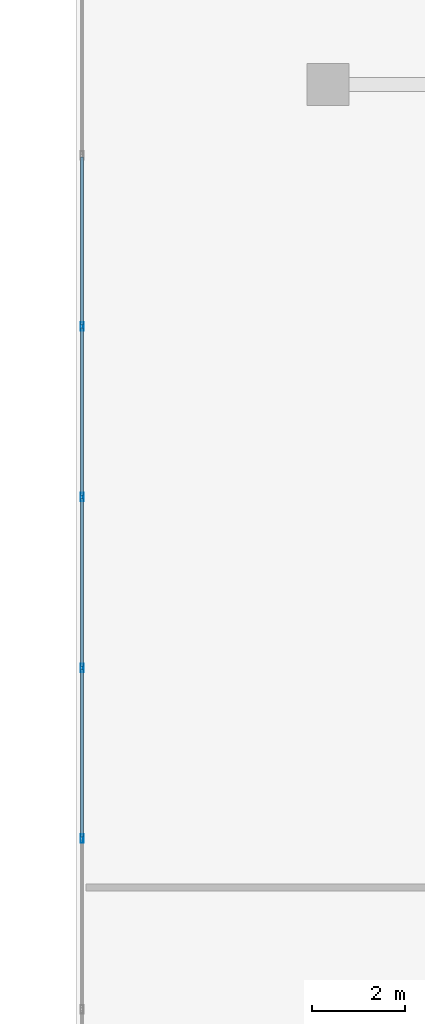
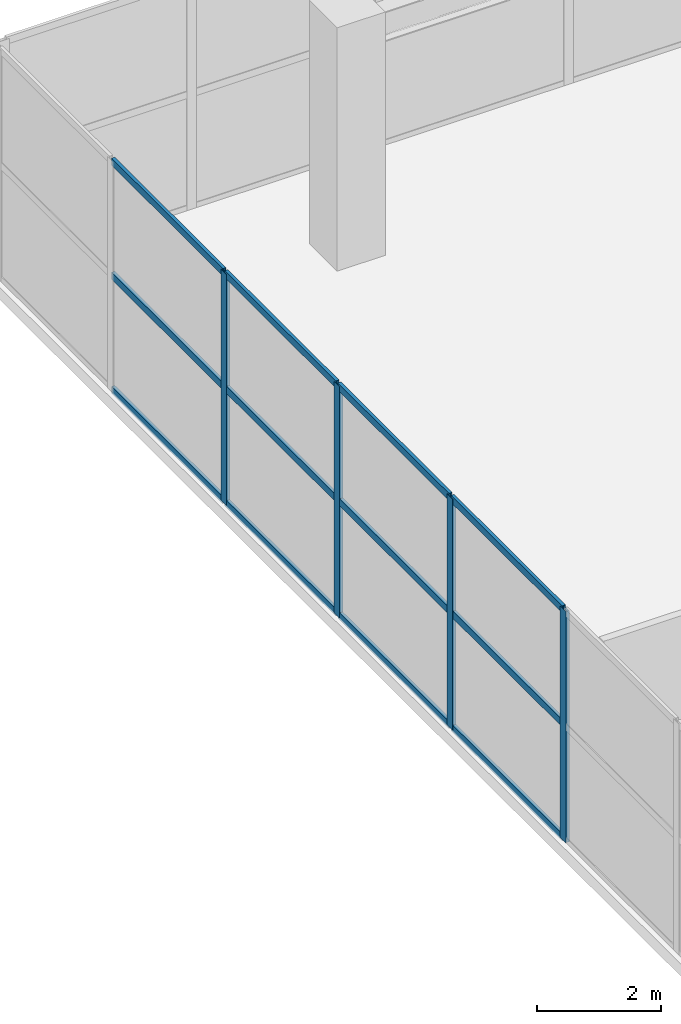
# One storey, part 9 of 31: 16 members, 1 element without a shape of its own.
"""IFC4 building model written with IfcOpenShell, lengths in metres."""

from ifc_helpers import new_model, si_unit, direction, frame, origin, origin_2d, place, context, subcontext, project, spatial, hollow_rectangle, extrude, material, layer, layer_set, material_profile, profile_set, type_object, element, aggregate, save


model = new_model("IFC4")

# Units and contexts
model_context = context("Model", 3, precision=1e-05, world=origin(), true_north=direction((0.0, 1.0)))
body_context = subcontext(model_context, "Body", "Model", "MODEL_VIEW")
ifc_project = project(units=[si_unit("LENGTHUNIT", "METRE"), si_unit("AREAUNIT", "SQUARE_METRE"), si_unit("VOLUMEUNIT", "CUBIC_METRE"), si_unit("PLANEANGLEUNIT", "RADIAN"), si_unit("MASSUNIT", "GRAM", prefix="KILO")], contexts=[model_context])

# Site, building, storey
site_placement = place(None, origin())
site = spatial("IfcSite", under=ifc_project, at=site_placement, CompositionType="ELEMENT")
building_placement = place(site_placement, origin())
building = spatial("IfcBuilding", under=site, at=building_placement, Name="Haolan Belvedere Tower", CompositionType="ELEMENT")
storey_placement = place(building_placement, frame((0.0, 0.0, 5.39990234375)))
storey = spatial("IfcBuildingStorey", under=building, at=storey_placement, Name="L01", CompositionType="ELEMENT", Elevation=5.39990234375)

# Curtain wall, members
ifc_material_1 = material(Name="Anodised champagne-silver aluminium 6063-T6 and Low-E glass", Category="aluminium")
ifc_layer = layer(ifc_material_1, 0.179931640625, Name="Anodised champagne-silver aluminium 6063-T6 and Low-E glass")
ifc_layer_set = layer_set([ifc_layer], Name="Anodised champagne-silver aluminium 6063-T6 and Low-E glass")
curtain_wall_type = type_object("IfcCurtainWallType", Name="CW-SYS-01", PredefinedType="NOTDEFINED", material=ifc_layer_set)
curtain_wall_placement = place(storey_placement, origin())
curtain_wall = element("IfcCurtainWall", 1, at=curtain_wall_placement, inside=storey, type_object=curtain_wall_type, Name="L01 CW-SYS-01 ribbon curtain wall 4.1", PredefinedType="NOTDEFINED")
ifc_material_2 = material(Name="Anodised aluminium 6063-T6", Category="aluminium")
ifc_material_profile_1 = material_profile(ifc_material_2, hollow_rectangle(XDim=0.06494140625, YDim=0.179931640625, WallThickness=0.00390625, at=origin_2d()), Name="Anodised aluminium 6063-T6")
ifc_profile_set_1 = profile_set([ifc_material_profile_1], Name="Anodised aluminium 6063-T6")
member_type_1 = type_object("IfcMemberType", Name="CW-SYS-01-MUL", PredefinedType="MULLION", material=ifc_profile_set_1)
member_1_placement = place(storey_placement, frame((1.330078125, 46.416748046875, 0.0), z_axis=(0.0, 0.0, 1.0), x_axis=(1.0, 0.0, 0.0)))
member_1 = element("IfcMember", 2, at=member_1_placement, type_object=member_type_1, Name="CW-01 mullion 3", PredefinedType="MULLION", context=body_context, shape_type="SweptSolid", body=[
    extrude(hollow_rectangle(XDim=0.06494140625, YDim=0.179931640625, WallThickness=0.00390625, at=origin_2d()), origin(), (0.0, 0.0, 1.0), 4.56005859375),
])
member_2_placement = place(storey_placement, frame((1.330078125, 42.760009765625, 0.0), z_axis=(0.0, 0.0, 1.0), x_axis=(1.0, 0.0, 0.0)))
member_2 = element("IfcMember", 3, at=member_2_placement, type_object=member_type_1, Name="CW-01 mullion 4", PredefinedType="MULLION", context=body_context, shape_type="SweptSolid", body=[
    extrude(hollow_rectangle(XDim=0.06494140625, YDim=0.179931640625, WallThickness=0.00390625, at=origin_2d()), origin(), (0.0, 0.0, 1.0), 4.56005859375),
])
member_3_placement = place(storey_placement, frame((1.330078125, 39.103515625, 0.0), z_axis=(0.0, 0.0, 1.0), x_axis=(1.0, 0.0, 0.0)))
member_3 = element("IfcMember", 4, at=member_3_placement, type_object=member_type_1, Name="CW-01 mullion 5", PredefinedType="MULLION", context=body_context, shape_type="SweptSolid", body=[
    extrude(hollow_rectangle(XDim=0.06494140625, YDim=0.179931640625, WallThickness=0.00390625, at=origin_2d()), origin(), (0.0, 0.0, 1.0), 4.56005859375),
])
member_4_placement = place(storey_placement, frame((1.330078125, 35.44677734375, 0.0), z_axis=(0.0, 0.0, 1.0), x_axis=(1.0, 0.0, 0.0)))
member_4 = element("IfcMember", 5, at=member_4_placement, type_object=member_type_1, Name="CW-01 mullion 6", PredefinedType="MULLION", context=body_context, shape_type="SweptSolid", body=[
    extrude(hollow_rectangle(XDim=0.06494140625, YDim=0.179931640625, WallThickness=0.00390625, at=origin_2d()), origin(), (0.0, 0.0, 1.0), 4.56005859375),
])
ifc_material_profile_2 = material_profile(ifc_material_2, hollow_rectangle(XDim=0.06005859375, YDim=0.139892578125, WallThickness=0.00390625, at=origin_2d()), Name="Anodised aluminium 6063-T6")
ifc_profile_set_2 = profile_set([ifc_material_profile_2], Name="Anodised aluminium 6063-T6")
member_type_2 = type_object("IfcMemberType", Name="CW-SYS-01-TRN", PredefinedType="USERDEFINED", material=ifc_profile_set_2)
member_5_placement = place(storey_placement, frame((1.330078125, 50.040771484375, 0.030029296875), z_axis=(0.0, -1.0, 0.0), x_axis=(1.0, 0.0, 0.0)))
member_5 = element("IfcMember", 6, at=member_5_placement, type_object=member_type_2, Name="CW-01 transom 2.1", ObjectType="TRANSOM", PredefinedType="USERDEFINED", context=body_context, shape_type="SweptSolid", body=[
    extrude(hollow_rectangle(XDim=0.06005859375, YDim=0.139892578125, WallThickness=0.00390625, at=origin_2d()), origin(), (0.0, 0.0, 1.0), 3.591552734375),
])
member_6_placement = place(storey_placement, frame((1.330078125, 50.040771484375, 2.280029296875), z_axis=(0.0, -1.0, 0.0), x_axis=(1.0, 0.0, 0.0)))
member_6 = element("IfcMember", 7, at=member_6_placement, type_object=member_type_2, Name="CW-01 transom 2.2", ObjectType="TRANSOM", PredefinedType="USERDEFINED", context=body_context, shape_type="SweptSolid", body=[
    extrude(hollow_rectangle(XDim=0.06005859375, YDim=0.139892578125, WallThickness=0.00390625, at=origin_2d()), origin(), (0.0, 0.0, 1.0), 3.591552734375),
])
member_7_placement = place(storey_placement, frame((1.330078125, 50.040771484375, 4.530029296875), z_axis=(0.0, -1.0, 0.0), x_axis=(1.0, 0.0, 0.0)))
member_7 = element("IfcMember", 8, at=member_7_placement, type_object=member_type_2, Name="CW-01 transom 2.3", ObjectType="TRANSOM", PredefinedType="USERDEFINED", context=body_context, shape_type="SweptSolid", body=[
    extrude(hollow_rectangle(XDim=0.06005859375, YDim=0.139892578125, WallThickness=0.00390625, at=origin_2d()), origin(), (0.0, 0.0, 1.0), 3.591552734375),
])
member_8_placement = place(storey_placement, frame((1.330078125, 46.38427734375, 0.030029296875), z_axis=(0.0, -1.0, 0.0), x_axis=(1.0, 0.0, 0.0)))
member_8 = element("IfcMember", 9, at=member_8_placement, type_object=member_type_2, Name="CW-01 transom 3.1", ObjectType="TRANSOM", PredefinedType="USERDEFINED", context=body_context, shape_type="SweptSolid", body=[
    extrude(hollow_rectangle(XDim=0.06005859375, YDim=0.139892578125, WallThickness=0.00390625, at=origin_2d()), origin(), (0.0, 0.0, 1.0), 3.591552734375),
])
member_9_placement = place(storey_placement, frame((1.330078125, 46.38427734375, 2.280029296875), z_axis=(0.0, -1.0, 0.0), x_axis=(1.0, 0.0, 0.0)))
member_9 = element("IfcMember", 10, at=member_9_placement, type_object=member_type_2, Name="CW-01 transom 3.2", ObjectType="TRANSOM", PredefinedType="USERDEFINED", context=body_context, shape_type="SweptSolid", body=[
    extrude(hollow_rectangle(XDim=0.06005859375, YDim=0.139892578125, WallThickness=0.00390625, at=origin_2d()), origin(), (0.0, 0.0, 1.0), 3.591552734375),
])
member_10_placement = place(storey_placement, frame((1.330078125, 46.38427734375, 4.530029296875), z_axis=(0.0, -1.0, 0.0), x_axis=(1.0, 0.0, 0.0)))
member_10 = element("IfcMember", 11, at=member_10_placement, type_object=member_type_2, Name="CW-01 transom 3.3", ObjectType="TRANSOM", PredefinedType="USERDEFINED", context=body_context, shape_type="SweptSolid", body=[
    extrude(hollow_rectangle(XDim=0.06005859375, YDim=0.139892578125, WallThickness=0.00390625, at=origin_2d()), origin(), (0.0, 0.0, 1.0), 3.591552734375),
])
member_11_placement = place(storey_placement, frame((1.330078125, 42.7275390625, 0.030029296875), z_axis=(0.0, -1.0, 0.0), x_axis=(1.0, 0.0, 0.0)))
member_11 = element("IfcMember", 12, at=member_11_placement, type_object=member_type_2, Name="CW-01 transom 4.1", ObjectType="TRANSOM", PredefinedType="USERDEFINED", context=body_context, shape_type="SweptSolid", body=[
    extrude(hollow_rectangle(XDim=0.06005859375, YDim=0.139892578125, WallThickness=0.00390625, at=origin_2d()), origin(), (0.0, 0.0, 1.0), 3.591552734375),
])
member_12_placement = place(storey_placement, frame((1.330078125, 42.7275390625, 2.280029296875), z_axis=(0.0, -1.0, 0.0), x_axis=(1.0, 0.0, 0.0)))
member_12 = element("IfcMember", 13, at=member_12_placement, type_object=member_type_2, Name="CW-01 transom 4.2", ObjectType="TRANSOM", PredefinedType="USERDEFINED", context=body_context, shape_type="SweptSolid", body=[
    extrude(hollow_rectangle(XDim=0.06005859375, YDim=0.139892578125, WallThickness=0.00390625, at=origin_2d()), origin(), (0.0, 0.0, 1.0), 3.591552734375),
])
member_13_placement = place(storey_placement, frame((1.330078125, 42.7275390625, 4.530029296875), z_axis=(0.0, -1.0, 0.0), x_axis=(1.0, 0.0, 0.0)))
member_13 = element("IfcMember", 14, at=member_13_placement, type_object=member_type_2, Name="CW-01 transom 4.3", ObjectType="TRANSOM", PredefinedType="USERDEFINED", context=body_context, shape_type="SweptSolid", body=[
    extrude(hollow_rectangle(XDim=0.06005859375, YDim=0.139892578125, WallThickness=0.00390625, at=origin_2d()), origin(), (0.0, 0.0, 1.0), 3.591552734375),
])
member_14_placement = place(storey_placement, frame((1.330078125, 39.071044921875, 0.030029296875), z_axis=(0.0, -1.0, 0.0), x_axis=(1.0, 0.0, 0.0)))
member_14 = element("IfcMember", 15, at=member_14_placement, type_object=member_type_2, Name="CW-01 transom 5.1", ObjectType="TRANSOM", PredefinedType="USERDEFINED", context=body_context, shape_type="SweptSolid", body=[
    extrude(hollow_rectangle(XDim=0.06005859375, YDim=0.139892578125, WallThickness=0.00390625, at=origin_2d()), origin(), (0.0, 0.0, 1.0), 3.591796875),
])
member_15_placement = place(storey_placement, frame((1.330078125, 39.071044921875, 2.280029296875), z_axis=(0.0, -1.0, 0.0), x_axis=(1.0, 0.0, 0.0)))
member_15 = element("IfcMember", 16, at=member_15_placement, type_object=member_type_2, Name="CW-01 transom 5.2", ObjectType="TRANSOM", PredefinedType="USERDEFINED", context=body_context, shape_type="SweptSolid", body=[
    extrude(hollow_rectangle(XDim=0.06005859375, YDim=0.139892578125, WallThickness=0.00390625, at=origin_2d()), origin(), (0.0, 0.0, 1.0), 3.591796875),
])
member_16_placement = place(storey_placement, frame((1.330078125, 39.071044921875, 4.530029296875), z_axis=(0.0, -1.0, 0.0), x_axis=(1.0, 0.0, 0.0)))
member_16 = element("IfcMember", 17, at=member_16_placement, type_object=member_type_2, Name="CW-01 transom 5.3", ObjectType="TRANSOM", PredefinedType="USERDEFINED", context=body_context, shape_type="SweptSolid", body=[
    extrude(hollow_rectangle(XDim=0.06005859375, YDim=0.139892578125, WallThickness=0.00390625, at=origin_2d()), origin(), (0.0, 0.0, 1.0), 3.591796875),
])
aggregate(curtain_wall, [member_1, member_2, member_3, member_4, member_5, member_6, member_7, member_8, member_9, member_10, member_11, member_12, member_13, member_14, member_15, member_16])

save(model, "model.ifc")
